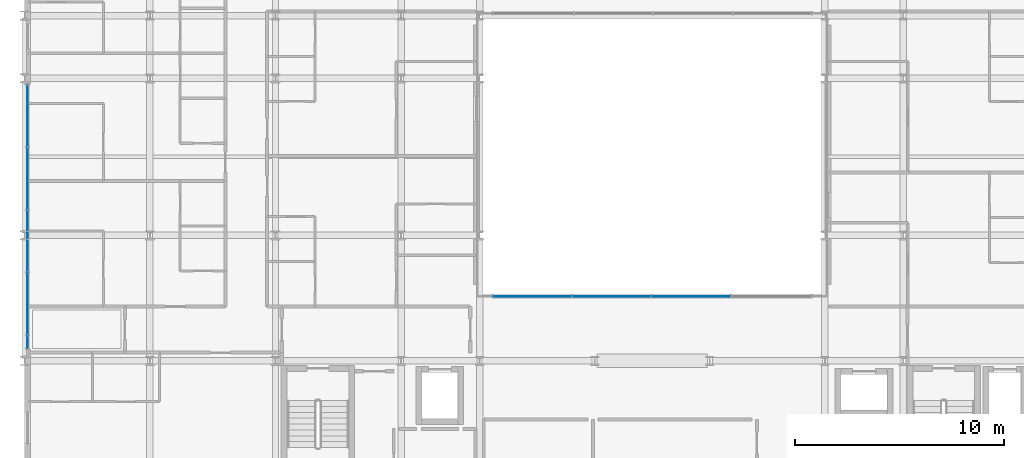
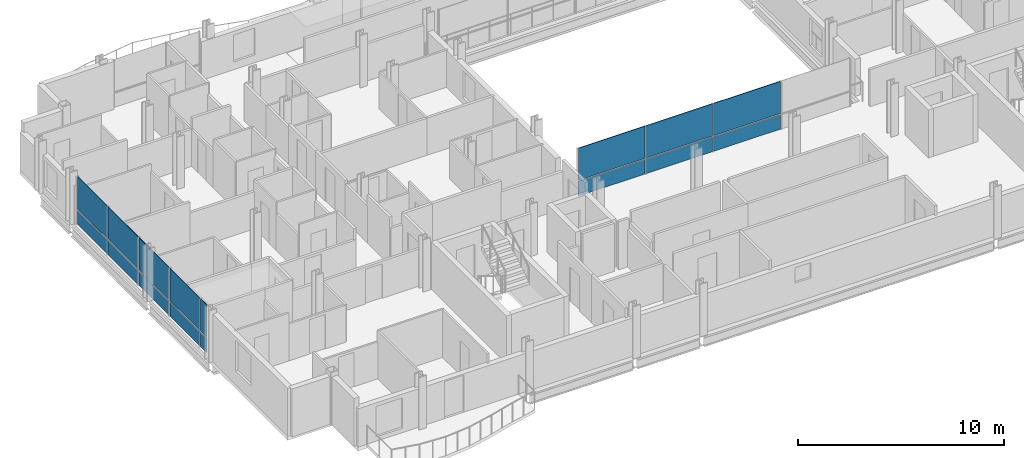
# One storey, part 26 of 41: 16 plates, 2 elements without a shape of their own.
"""IFC4 building model written with IfcOpenShell, lengths in metres."""

from ifc_helpers import new_model, si_unit, direction, frame, origin, origin_2d, place, context, subcontext, project, spatial, rectangle, extrude, material, layer, layer_set, type_object, element, aggregate, save


model = new_model("IFC4")

# Units and contexts
model_context = context("Model", 3, precision=1e-05, world=origin(), true_north=direction((0.0, 1.0)))
body_context = subcontext(model_context, "Body", "Model", "MODEL_VIEW")
ifc_project = project(units=[si_unit("LENGTHUNIT", "METRE"), si_unit("AREAUNIT", "SQUARE_METRE"), si_unit("VOLUMEUNIT", "CUBIC_METRE"), si_unit("PLANEANGLEUNIT", "RADIAN"), si_unit("MASSUNIT", "GRAM", prefix="KILO")], contexts=[model_context])

# Site, building, storey
site_placement = place(None, origin())
site = spatial("IfcSite", under=ifc_project, at=site_placement, CompositionType="ELEMENT")
building_placement = place(site_placement, origin())
building = spatial("IfcBuilding", under=site, at=building_placement, Name="Brevholm Reach", CompositionType="ELEMENT")
storey_placement = place(building_placement, frame((0.0, 0.0, 93.10009765625)))
storey = spatial("IfcBuildingStorey", under=building, at=storey_placement, Name="L27", CompositionType="ELEMENT", Elevation=93.10009765625)

# Curtain wall, plates
ifc_material_1 = material(Name="Dark Anodised Aluminium 6063-T6 and Solar-Control Glass", Category="aluminium")
ifc_layer_1 = layer(ifc_material_1, 0.14990234375)
ifc_layer_set_1 = layer_set([ifc_layer_1], Name="Dark Anodised Aluminium 6063-T6 and Solar-Control Glass")
curtain_wall_type_1 = type_object("IfcCurtainWallType", Name="CW-01", PredefinedType="NOTDEFINED", material=ifc_layer_set_1)
curtain_wall_1_placement = place(storey_placement, origin())
curtain_wall_1 = element("IfcCurtainWall", 1, at=curtain_wall_1_placement, inside=storey, type_object=curtain_wall_type_1, Name="L27 Curtain Wall CW-01", PredefinedType="NOTDEFINED")
ifc_material_2 = material(Name="Dark Solar-Control Double-Glazed IGU Glass", Category="glass")
ifc_layer_2 = layer(ifc_material_2, 0.028076171875)
ifc_layer_set_2 = layer_set([ifc_layer_2], Name="Dark Solar-Control Double-Glazed IGU Glass")
plate_type_1 = type_object("IfcPlateType", Name="CWP-GLZ-28", PredefinedType="CURTAIN_PANEL", material=ifc_layer_set_2)
plate_1_placement = place(storey_placement, frame((0.14990234375, 21.703857421875, 0.0), z_axis=(0.0, 0.0, 1.0), x_axis=(0.0, -1.0, 0.0)))
plate_1 = element("IfcPlate", 2, at=plate_1_placement, type_object=plate_type_1, Name="CP-01 Glazing Panel 1.1", PredefinedType="CURTAIN_PANEL", context=body_context, shape_type="SweptSolid", body=[
    extrude(rectangle(XDim=2.902587890625, YDim=0.028076171875, at=origin_2d()), origin(), (0.0, 0.0, 1.0), 0.867431640625),
])
plate_2_placement = place(storey_placement, frame((0.14990234375, 21.703857421875, 0.9326171875), z_axis=(0.0, 0.0, 1.0), x_axis=(0.0, -1.0, 0.0)))
plate_2 = element("IfcPlate", 3, at=plate_2_placement, type_object=plate_type_1, Name="CP-01 Glazing Panel 1.2", PredefinedType="CURTAIN_PANEL", context=body_context, shape_type="SweptSolid", body=[
    extrude(rectangle(XDim=2.902587890625, YDim=0.028076171875, at=origin_2d()), origin(), (0.0, 0.0, 1.0), 1.907470703125),
])
plate_3_placement = place(storey_placement, frame((0.14990234375, 18.719970703125, 0.0), z_axis=(0.0, 0.0, 1.0), x_axis=(0.0, -1.0, 0.0)))
plate_3 = element("IfcPlate", 4, at=plate_3_placement, type_object=plate_type_1, Name="CP-01 Glazing Panel 2.1", PredefinedType="CURTAIN_PANEL", context=body_context, shape_type="SweptSolid", body=[
    extrude(rectangle(XDim=2.93505859375, YDim=0.028076171875, at=origin_2d()), origin(), (0.0, 0.0, 1.0), 0.867431640625),
])
plate_4_placement = place(storey_placement, frame((0.14990234375, 18.719970703125, 0.9326171875), z_axis=(0.0, 0.0, 1.0), x_axis=(0.0, -1.0, 0.0)))
plate_4 = element("IfcPlate", 5, at=plate_4_placement, type_object=plate_type_1, Name="CP-01 Glazing Panel 2.2", PredefinedType="CURTAIN_PANEL", context=body_context, shape_type="SweptSolid", body=[
    extrude(rectangle(XDim=2.93505859375, YDim=0.028076171875, at=origin_2d()), origin(), (0.0, 0.0, 1.0), 1.907470703125),
])
plate_5_placement = place(storey_placement, frame((0.14990234375, 15.719970703125, 0.0), z_axis=(0.0, 0.0, 1.0), x_axis=(0.0, -1.0, 0.0)))
plate_5 = element("IfcPlate", 6, at=plate_5_placement, type_object=plate_type_1, Name="CP-01 Glazing Panel 3.1", PredefinedType="CURTAIN_PANEL", context=body_context, shape_type="SweptSolid", body=[
    extrude(rectangle(XDim=2.93505859375, YDim=0.028076171875, at=origin_2d()), origin(), (0.0, 0.0, 1.0), 0.867431640625),
])
plate_6_placement = place(storey_placement, frame((0.14990234375, 15.719970703125, 0.9326171875), z_axis=(0.0, 0.0, 1.0), x_axis=(0.0, -1.0, 0.0)))
plate_6 = element("IfcPlate", 7, at=plate_6_placement, type_object=plate_type_1, Name="CP-01 Glazing Panel 3.2", PredefinedType="CURTAIN_PANEL", context=body_context, shape_type="SweptSolid", body=[
    extrude(rectangle(XDim=2.93505859375, YDim=0.028076171875, at=origin_2d()), origin(), (0.0, 0.0, 1.0), 1.907470703125),
])
plate_7_placement = place(storey_placement, frame((0.14990234375, 12.719970703125, 0.0), z_axis=(0.0, 0.0, 1.0), x_axis=(0.0, -1.0, 0.0)))
plate_7 = element("IfcPlate", 8, at=plate_7_placement, type_object=plate_type_1, Name="CP-01 Glazing Panel 4.1", PredefinedType="CURTAIN_PANEL", context=body_context, shape_type="SweptSolid", body=[
    extrude(rectangle(XDim=2.93505859375, YDim=0.028076171875, at=origin_2d()), origin(), (0.0, 0.0, 1.0), 0.867431640625),
])
plate_8_placement = place(storey_placement, frame((0.14990234375, 12.719970703125, 0.9326171875), z_axis=(0.0, 0.0, 1.0), x_axis=(0.0, -1.0, 0.0)))
plate_8 = element("IfcPlate", 9, at=plate_8_placement, type_object=plate_type_1, Name="CP-01 Glazing Panel 4.2", PredefinedType="CURTAIN_PANEL", context=body_context, shape_type="SweptSolid", body=[
    extrude(rectangle(XDim=2.93505859375, YDim=0.028076171875, at=origin_2d()), origin(), (0.0, 0.0, 1.0), 1.907470703125),
])
plate_9_placement = place(storey_placement, frame((0.14990234375, 10.9013671875, 0.0), z_axis=(0.0, 0.0, 1.0), x_axis=(0.0, -1.0, 0.0)))
plate_9 = element("IfcPlate", 10, at=plate_9_placement, type_object=plate_type_1, Name="CP-01 Glazing Panel 5.1", PredefinedType="CURTAIN_PANEL", context=body_context, shape_type="SweptSolid", body=[
    extrude(rectangle(XDim=0.572509765625, YDim=0.028076171875, at=origin_2d()), origin(), (0.0, 0.0, 1.0), 0.867431640625),
])
plate_10_placement = place(storey_placement, frame((0.14990234375, 10.9013671875, 0.9326171875), z_axis=(0.0, 0.0, 1.0), x_axis=(0.0, -1.0, 0.0)))
plate_10 = element("IfcPlate", 11, at=plate_10_placement, type_object=plate_type_1, Name="CP-01 Glazing Panel 5.2", PredefinedType="CURTAIN_PANEL", context=body_context, shape_type="SweptSolid", body=[
    extrude(rectangle(XDim=0.572509765625, YDim=0.028076171875, at=origin_2d()), origin(), (0.0, 0.0, 1.0), 1.907470703125),
])
aggregate(curtain_wall_1, [plate_1, plate_2, plate_3, plate_4, plate_5, plate_6, plate_7, plate_8, plate_9, plate_10])

ifc_material_3 = material(Name="Dark Anodised Aluminium 6063-T6 and Solar-Control Glass", Category="aluminium")
ifc_layer_3 = layer(ifc_material_3, 0.139892578125)
ifc_layer_set_3 = layer_set([ifc_layer_3], Name="Dark Anodised Aluminium 6063-T6 and Solar-Control Glass")
curtain_wall_type_2 = type_object("IfcCurtainWallType", Name="CW-02", PredefinedType="NOTDEFINED", material=ifc_layer_set_3)
curtain_wall_2_placement = place(storey_placement, origin())
curtain_wall_2 = element("IfcCurtainWall", 12, at=curtain_wall_2_placement, inside=storey, type_object=curtain_wall_type_2, Name="L27 Curtain Wall CW-02", PredefinedType="NOTDEFINED")
ifc_material_4 = material(Name="Low-Iron Laminated Acoustic Glass", Category="glass")
ifc_layer_4 = layer(ifc_material_4, 0.035888671875)
ifc_layer_set_4 = layer_set([ifc_layer_4], Name="Low-Iron Laminated Acoustic Glass")
plate_type_2 = type_object("IfcPlateType", Name="CWP-GLZ-36", PredefinedType="CURTAIN_PANEL", material=ifc_layer_set_4)
plate_11_placement = place(storey_placement, frame((24.264892578125, 13.080078125, -0.000244140625), z_axis=(0.0, 0.0, 1.0), x_axis=(1.0, 0.0, 0.0)))
plate_11 = element("IfcPlate", 13, at=plate_11_placement, type_object=plate_type_2, Name="CP-02 Glazing Panel 1.1", PredefinedType="CURTAIN_PANEL", context=body_context, shape_type="SweptSolid", body=[
    extrude(rectangle(XDim=3.7099609375, YDim=0.035888671875, at=origin_2d()), origin(), (0.0, 0.0, 1.0), 0.8701171875),
])
plate_12_placement = place(storey_placement, frame((24.264892578125, 13.080078125, 0.93017578125), z_axis=(0.0, 0.0, 1.0), x_axis=(1.0, 0.0, 0.0)))
plate_12 = element("IfcPlate", 14, at=plate_12_placement, type_object=plate_type_2, Name="CP-02 Glazing Panel 1.2", PredefinedType="CURTAIN_PANEL", context=body_context, shape_type="SweptSolid", body=[
    extrude(rectangle(XDim=3.7099609375, YDim=0.035888671875, at=origin_2d()), origin(), (0.0, 0.0, 1.0), 1.909912109375),
])
plate_13_placement = place(storey_placement, frame((28.050048828125, 13.080078125, -0.000244140625), z_axis=(0.0, 0.0, 1.0), x_axis=(1.0, 0.0, 0.0)))
plate_13 = element("IfcPlate", 15, at=plate_13_placement, type_object=plate_type_2, Name="CP-02 Glazing Panel 2.1", PredefinedType="CURTAIN_PANEL", context=body_context, shape_type="SweptSolid", body=[
    extrude(rectangle(XDim=3.739990234375, YDim=0.035888671875, at=origin_2d()), origin(), (0.0, 0.0, 1.0), 0.8701171875),
])
plate_14_placement = place(storey_placement, frame((28.050048828125, 13.080078125, 0.93017578125), z_axis=(0.0, 0.0, 1.0), x_axis=(1.0, 0.0, 0.0)))
plate_14 = element("IfcPlate", 16, at=plate_14_placement, type_object=plate_type_2, Name="CP-02 Glazing Panel 2.2", PredefinedType="CURTAIN_PANEL", context=body_context, shape_type="SweptSolid", body=[
    extrude(rectangle(XDim=3.739990234375, YDim=0.035888671875, at=origin_2d()), origin(), (0.0, 0.0, 1.0), 1.909912109375),
])
plate_15_placement = place(storey_placement, frame((31.85009765625, 13.080078125, -0.000244140625), z_axis=(0.0, 0.0, 1.0), x_axis=(1.0, 0.0, 0.0)))
plate_15 = element("IfcPlate", 17, at=plate_15_placement, type_object=plate_type_2, Name="CP-02 Glazing Panel 3.1", PredefinedType="CURTAIN_PANEL", context=body_context, shape_type="SweptSolid", body=[
    extrude(rectangle(XDim=3.739990234375, YDim=0.035888671875, at=origin_2d()), origin(), (0.0, 0.0, 1.0), 0.8701171875),
])
plate_16_placement = place(storey_placement, frame((31.85009765625, 13.080078125, 0.93017578125), z_axis=(0.0, 0.0, 1.0), x_axis=(1.0, 0.0, 0.0)))
plate_16 = element("IfcPlate", 18, at=plate_16_placement, type_object=plate_type_2, Name="CP-02 Glazing Panel 3.2", PredefinedType="CURTAIN_PANEL", context=body_context, shape_type="SweptSolid", body=[
    extrude(rectangle(XDim=3.739990234375, YDim=0.035888671875, at=origin_2d()), origin(), (0.0, 0.0, 1.0), 1.909912109375),
])
aggregate(curtain_wall_2, [plate_11, plate_12, plate_13, plate_14, plate_15, plate_16])

save(model, "model.ifc")
